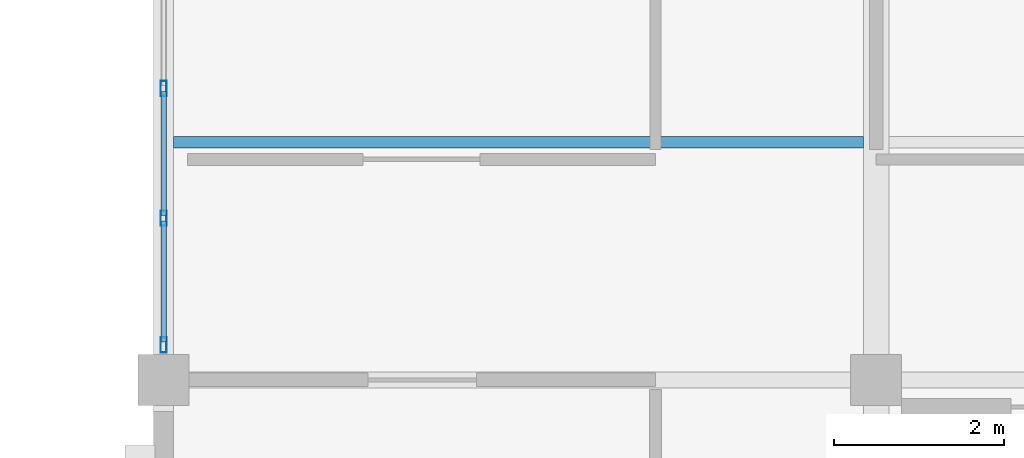
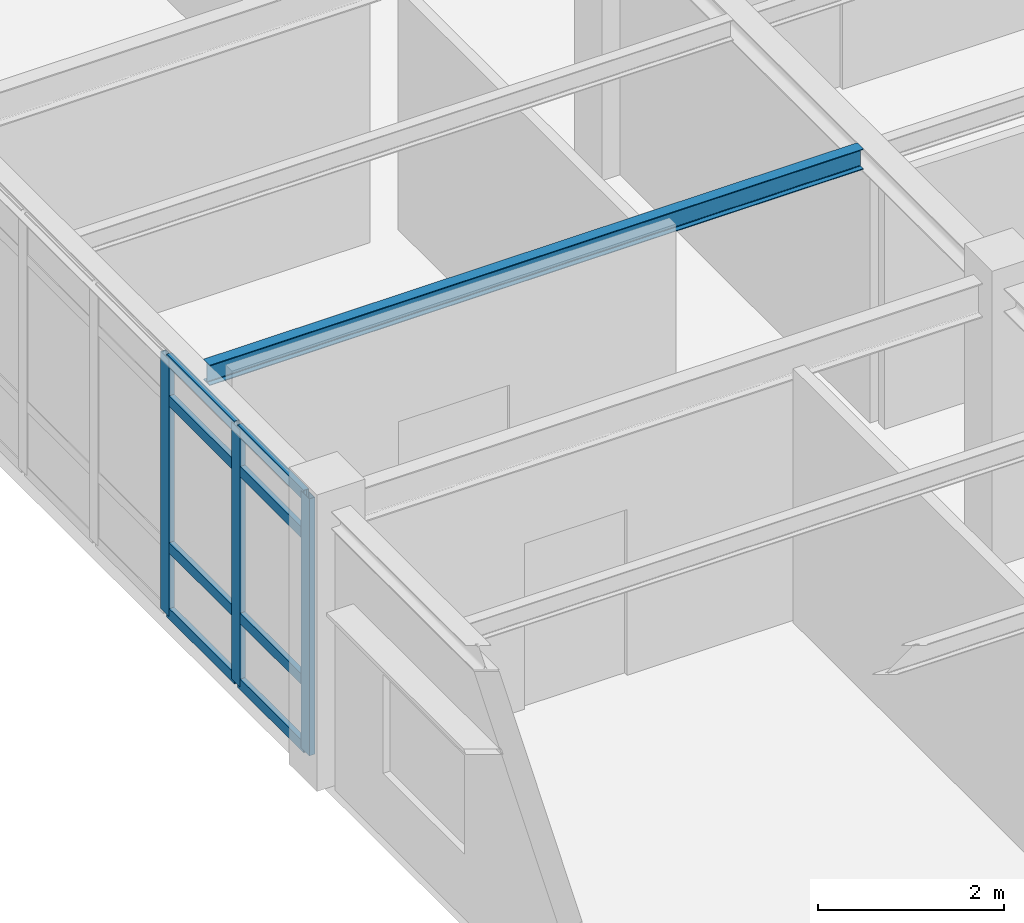
# One storey, part 19 of 70: 11 members, 1 beam, 1 element without a shape of its own.
"""IFC4 building model written with IfcOpenShell, lengths in metres."""

from ifc_helpers import new_model, si_unit, direction, frame, origin, origin_2d, place, context, subcontext, project, spatial, hollow_rectangle, i_section, extrude, material, layer, layer_set, material_profile, profile_set, type_object, element, aggregate, save


model = new_model("IFC4")

# Units and contexts
model_context = context("Model", 3, precision=1e-05, world=origin(), true_north=direction((0.0, 1.0)))
body_context = subcontext(model_context, "Body", "Model", "MODEL_VIEW")
ifc_project = project(units=[si_unit("LENGTHUNIT", "METRE"), si_unit("AREAUNIT", "SQUARE_METRE"), si_unit("VOLUMEUNIT", "CUBIC_METRE"), si_unit("PLANEANGLEUNIT", "RADIAN"), si_unit("MASSUNIT", "GRAM", prefix="KILO")], contexts=[model_context])

# Site, building, storey
site_placement = place(None, origin())
site = spatial("IfcSite", under=ifc_project, at=site_placement, CompositionType="ELEMENT")
building_placement = place(site_placement, origin())
building = spatial("IfcBuilding", under=site, at=building_placement, Name="Bramfleet General Hospital", CompositionType="ELEMENT")
storey_placement = place(building_placement, frame((0.0, 0.0, 22.5)))
storey = spatial("IfcBuildingStorey", under=building, at=storey_placement, Name="L05", CompositionType="ELEMENT", Elevation=22.5)

# Beam
ifc_material_1 = material(Name="Steel S355", Category="steel")
ifc_material_profile_1 = material_profile(ifc_material_1, i_section(OverallWidth=0.135009765625, OverallDepth=0.27001953125, WebThickness=0.006591796875, FlangeThickness=0.01025390625, FilletRadius=0.014892578125, at=origin_2d()), Name="IPE 270")
ifc_profile_set_1 = profile_set([ifc_material_profile_1], Name="Steel S355")
beam_type = type_object("IfcBeamType", Name="BM-IPE270", PredefinedType="JOIST", material=ifc_profile_set_1)
beam_placement = place(storey_placement, frame((92.52001953125, 78.39990234375, 3.485107421875), z_axis=(1.0, 0.0, 0.0), x_axis=(0.0, 1.0, 0.0)))
element("IfcBeam", 1, at=beam_placement, inside=storey, type_object=beam_type, Name="L05 Secondary Joist 11-09-1", PredefinedType="JOIST", context=body_context, shape_type="SweptSolid", body=[
    extrude(i_section(OverallWidth=0.135009765625, OverallDepth=0.27001953125, WebThickness=0.006591796875, FlangeThickness=0.01025390625, FilletRadius=0.014892578125, at=origin_2d()), origin(), (0.0, 0.0, 1.0), 8.1298828125),
])

# Curtain wall, members
ifc_material_2 = material(Name="Anodised aluminium and low-E triple glazing", Category="aluminium")
ifc_layer = layer(ifc_material_2, 0.179931640625, Name="CWT-CW-02")
ifc_layer_set = layer_set([ifc_layer], Name="Anodised aluminium and low-E triple glazing")
curtain_wall_type = type_object("IfcCurtainWallType", Name="CWT-CW-02", PredefinedType="USERDEFINED", material=ifc_layer_set)
curtain_wall_placement = place(storey_placement, origin())
curtain_wall = element("IfcCurtainWall", 2, at=curtain_wall_placement, inside=storey, type_object=curtain_wall_type, Name="L05 Curtain Wall 200", ObjectType="Unitised curtain wall", PredefinedType="USERDEFINED")
ifc_material_3 = material(Name="Anodised aluminium EN AW-6060", Category="aluminium")
ifc_material_profile_2 = material_profile(ifc_material_3, hollow_rectangle(XDim=0.070068359375, YDim=0.179931640625, WallThickness=0.00390625, at=origin_2d()), Name="ALU 180x70x4.0")
ifc_profile_set_2 = profile_set([ifc_material_profile_2], Name="Anodised aluminium EN AW-6060")
member_type_1 = type_object("IfcMemberType", Name="CWM-ALU180", PredefinedType="MULLION", material=ifc_profile_set_2)
member_1_placement = place(storey_placement, frame((92.39990234375, 76.010009765625, 0.0), z_axis=(0.0, 0.0, 1.0), x_axis=(-1.0, 0.0, 0.0)))
member_1 = element("IfcMember", 3, at=member_1_placement, type_object=member_type_1, Name="CW-02 mullion 1", PredefinedType="MULLION", context=body_context, shape_type="SweptSolid", body=[
    extrude(hollow_rectangle(XDim=0.070068359375, YDim=0.179931640625, WallThickness=0.00390625, at=origin_2d()), origin(), (0.0, 0.0, 1.0), 3.3798828125),
])
member_2_placement = place(storey_placement, frame((92.39990234375, 77.5048828125, 0.0), z_axis=(0.0, 0.0, 1.0), x_axis=(-1.0, 0.0, 0.0)))
member_2 = element("IfcMember", 4, at=member_2_placement, type_object=member_type_1, Name="CW-02 mullion 2", PredefinedType="MULLION", context=body_context, shape_type="SweptSolid", body=[
    extrude(hollow_rectangle(XDim=0.070068359375, YDim=0.179931640625, WallThickness=0.00390625, at=origin_2d()), origin(), (0.0, 0.0, 1.0), 3.3798828125),
])
member_3_placement = place(storey_placement, frame((92.39990234375, 79.034912109375, 0.0), z_axis=(0.0, 0.0, 1.0), x_axis=(-1.0, 0.0, 0.0)))
member_3 = element("IfcMember", 5, at=member_3_placement, type_object=member_type_1, Name="CW-02 mullion 3", PredefinedType="MULLION", context=body_context, shape_type="SweptSolid", body=[
    extrude(hollow_rectangle(XDim=0.070068359375, YDim=0.179931640625, WallThickness=0.00390625, at=origin_2d()), origin(), (0.0, 0.0, 1.0), 3.3798828125),
])
ifc_material_profile_3 = material_profile(ifc_material_3, hollow_rectangle(XDim=0.06494140625, YDim=0.139892578125, WallThickness=0.00390625, at=origin_2d()), Name="ALU 140x65x4.0")
ifc_profile_set_3 = profile_set([ifc_material_profile_3], Name="Anodised aluminium EN AW-6060")
member_type_2 = type_object("IfcMemberType", Name="CWT-ALU140", PredefinedType="USERDEFINED", material=ifc_profile_set_3)
member_4_placement = place(storey_placement, frame((92.39990234375, 76.044921875, 0.032470703125), z_axis=(0.0, 1.0, 0.0), x_axis=(-1.0, 0.0, 0.0)))
member_4 = element("IfcMember", 6, at=member_4_placement, type_object=member_type_2, Name="CW-02 transom 1.1", ObjectType="TRANSOM", PredefinedType="USERDEFINED", context=body_context, shape_type="SweptSolid", body=[
    extrude(hollow_rectangle(XDim=0.06494140625, YDim=0.139892578125, WallThickness=0.00390625, at=origin_2d()), origin(), (0.0, 0.0, 1.0), 1.425048828125),
])
member_5_placement = place(storey_placement, frame((92.39990234375, 76.044921875, 0.89990234375), z_axis=(0.0, 1.0, 0.0), x_axis=(-1.0, 0.0, 0.0)))
member_5 = element("IfcMember", 7, at=member_5_placement, type_object=member_type_2, Name="CW-02 transom 1.2", ObjectType="TRANSOM", PredefinedType="USERDEFINED", context=body_context, shape_type="SweptSolid", body=[
    extrude(hollow_rectangle(XDim=0.06494140625, YDim=0.139892578125, WallThickness=0.00390625, at=origin_2d()), origin(), (0.0, 0.0, 1.0), 1.425048828125),
])
member_6_placement = place(storey_placement, frame((92.39990234375, 76.044921875, 2.830078125), z_axis=(0.0, 1.0, 0.0), x_axis=(-1.0, 0.0, 0.0)))
member_6 = element("IfcMember", 8, at=member_6_placement, type_object=member_type_2, Name="CW-02 transom 1.3", ObjectType="TRANSOM", PredefinedType="USERDEFINED", context=body_context, shape_type="SweptSolid", body=[
    extrude(hollow_rectangle(XDim=0.06494140625, YDim=0.139892578125, WallThickness=0.00390625, at=origin_2d()), origin(), (0.0, 0.0, 1.0), 1.425048828125),
])
member_7_placement = place(storey_placement, frame((92.39990234375, 76.044921875, 3.347412109375), z_axis=(0.0, 1.0, 0.0), x_axis=(-1.0, 0.0, 0.0)))
member_7 = element("IfcMember", 9, at=member_7_placement, type_object=member_type_2, Name="CW-02 transom 1.4", ObjectType="TRANSOM", PredefinedType="USERDEFINED", context=body_context, shape_type="SweptSolid", body=[
    extrude(hollow_rectangle(XDim=0.06494140625, YDim=0.139892578125, WallThickness=0.00390625, at=origin_2d()), origin(), (0.0, 0.0, 1.0), 1.425048828125),
])
member_8_placement = place(storey_placement, frame((92.39990234375, 77.5400390625, 0.032470703125), z_axis=(0.0, 1.0, 0.0), x_axis=(-1.0, 0.0, 0.0)))
member_8 = element("IfcMember", 10, at=member_8_placement, type_object=member_type_2, Name="CW-02 transom 2.1", ObjectType="TRANSOM", PredefinedType="USERDEFINED", context=body_context, shape_type="SweptSolid", body=[
    extrude(hollow_rectangle(XDim=0.06494140625, YDim=0.139892578125, WallThickness=0.00390625, at=origin_2d()), origin(), (0.0, 0.0, 1.0), 1.4599609375),
])
member_9_placement = place(storey_placement, frame((92.39990234375, 77.5400390625, 0.89990234375), z_axis=(0.0, 1.0, 0.0), x_axis=(-1.0, 0.0, 0.0)))
member_9 = element("IfcMember", 11, at=member_9_placement, type_object=member_type_2, Name="CW-02 transom 2.2", ObjectType="TRANSOM", PredefinedType="USERDEFINED", context=body_context, shape_type="SweptSolid", body=[
    extrude(hollow_rectangle(XDim=0.06494140625, YDim=0.139892578125, WallThickness=0.00390625, at=origin_2d()), origin(), (0.0, 0.0, 1.0), 1.4599609375),
])
member_10_placement = place(storey_placement, frame((92.39990234375, 77.5400390625, 2.830078125), z_axis=(0.0, 1.0, 0.0), x_axis=(-1.0, 0.0, 0.0)))
member_10 = element("IfcMember", 12, at=member_10_placement, type_object=member_type_2, Name="CW-02 transom 2.3", ObjectType="TRANSOM", PredefinedType="USERDEFINED", context=body_context, shape_type="SweptSolid", body=[
    extrude(hollow_rectangle(XDim=0.06494140625, YDim=0.139892578125, WallThickness=0.00390625, at=origin_2d()), origin(), (0.0, 0.0, 1.0), 1.4599609375),
])
member_11_placement = place(storey_placement, frame((92.39990234375, 77.5400390625, 3.347412109375), z_axis=(0.0, 1.0, 0.0), x_axis=(-1.0, 0.0, 0.0)))
member_11 = element("IfcMember", 13, at=member_11_placement, type_object=member_type_2, Name="CW-02 transom 2.4", ObjectType="TRANSOM", PredefinedType="USERDEFINED", context=body_context, shape_type="SweptSolid", body=[
    extrude(hollow_rectangle(XDim=0.06494140625, YDim=0.139892578125, WallThickness=0.00390625, at=origin_2d()), origin(), (0.0, 0.0, 1.0), 1.4599609375),
])
aggregate(curtain_wall, [member_1, member_2, member_3, member_4, member_5, member_6, member_7, member_8, member_9, member_10, member_11])

save(model, "model.ifc")
